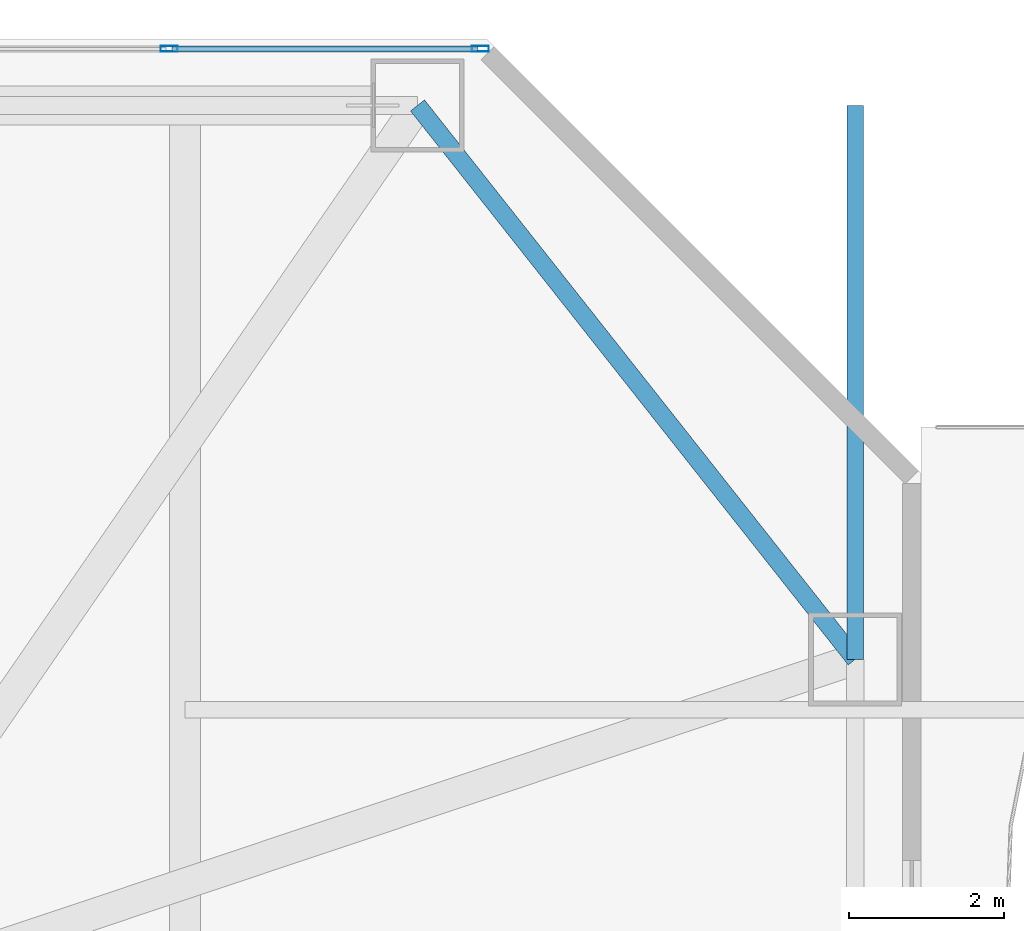
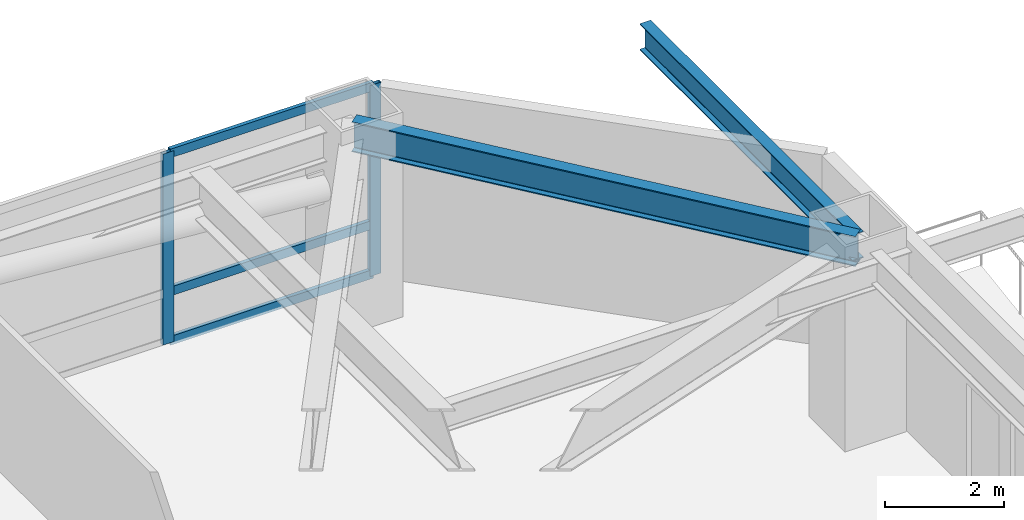
# One storey, part 8 of 25: 5 members, 2 beams, 1 element without a shape of its own.
"""IFC4 building model written with IfcOpenShell, lengths in metres."""

import ifcopenshell
import ifcopenshell.guid

model = None  # the IFC model being written
_history = None  # IfcOwnerHistory: only IFC2X3 demands one
_inside = {}  # id of a spatial element -> (the spatial element, [elements in it])
_under = {}  # id of a project, library or spatial element -> (it, [spatial elements below it])
_declared = {}  # id of a project -> (the project, [libraries it declares])
_typed = {}  # id of a type object -> (the type object, [elements of that type])
_made_of = {}  # id of a material, layer set ... -> (it, [elements and type objects made of it])


def new_model(schema):
    """Start an empty IFC model of exactly this schema.

    Asked for "IFC4X3", IfcOpenShell would pick the latest addendum, in which some entities
    have other attributes; the version numbers below select the first issue.
    IFC2X3 requires an IfcOwnerHistory on every rooted entity: one is made here for all.
    """
    global model, _history
    if schema == "IFC4X3":
        model = ifcopenshell.file(schema_version=(4, 3, 0, 0))
    else:
        model = ifcopenshell.file(schema=schema)
    _inside.clear()
    _under.clear()
    _declared.clear()
    _typed.clear()
    _made_of.clear()
    _history = None
    if model.schema == "IFC2X3":
        org = make("IfcOrganization", Name="unknown")
        user = make(
            "IfcPersonAndOrganization",
            ThePerson=make("IfcPerson", FamilyName="unknown"),
            TheOrganization=org,
        )
        app = make(
            "IfcApplication",
            ApplicationDeveloper=org,
            Version="unknown",
            ApplicationFullName="unknown",
            ApplicationIdentifier="unknown",
        )
        _history = make(
            "IfcOwnerHistory",
            OwningUser=user,
            OwningApplication=app,
            ChangeAction="ADDED",
            CreationDate=0,
        )
    return model


def make(cls, **values):
    """One entity of the class cls with the attributes given. An attribute that is None is left unset."""
    return model.create_entity(
        cls, **{name: value for name, value in values.items() if value is not None}
    )


def rooted(cls, **values):
    """An entity with a GlobalId (a new one), such as an element, a storey or a relation."""
    return make(cls, GlobalId=ifcopenshell.guid.new(), OwnerHistory=_history, **values)


def si_unit(unit_type, name, prefix=None):
    """IfcSIUnit, for example si_unit("LENGTHUNIT", "METRE", prefix="MILLI")."""
    return make("IfcSIUnit", UnitType=unit_type, Prefix=prefix, Name=name)


def assignment(units):
    """IfcUnitAssignment: the units of a project."""
    return None if units is None else make("IfcUnitAssignment", Units=units)


def point(xyz):
    """IfcCartesianPoint."""
    return None if xyz is None else make("IfcCartesianPoint", Coordinates=xyz)


def direction(xyz):
    """IfcDirection."""
    return None if xyz is None else make("IfcDirection", DirectionRatios=xyz)


def frame(location, z_axis=None, x_axis=None):
    """IfcAxis2Placement3D, a coordinate frame: its origin and axes. An axis left out is left unset."""
    return make(
        "IfcAxis2Placement3D",
        Location=point(location),
        Axis=direction(z_axis),
        RefDirection=direction(x_axis),
    )


def frame_2d(location, x_axis=None):
    """IfcAxis2Placement2D, a coordinate frame in the plane: its origin and x axis."""
    return make(
        "IfcAxis2Placement2D", Location=point(location), RefDirection=direction(x_axis)
    )


def origin():
    """The frame at (0, 0, 0) with its axes left unset."""
    return frame((0.0, 0.0, 0.0))


def origin_2d():
    """The frame at (0, 0) in the plane with its x axis left unset."""
    return frame_2d((0.0, 0.0))


def place(relative_to, where):
    """IfcLocalPlacement: puts the frame where relative to a parent placement (None: the world)."""
    return make(
        "IfcLocalPlacement", PlacementRelTo=relative_to, RelativePlacement=where
    )


def context(
    kind, dimensions, precision=None, world=None, true_north=None, identifier=None
):
    """IfcGeometricRepresentationContext, for example the 3D "Model" context."""
    return make(
        "IfcGeometricRepresentationContext",
        ContextIdentifier=identifier,
        ContextType=kind,
        CoordinateSpaceDimension=dimensions,
        Precision=precision,
        WorldCoordinateSystem=world,
        TrueNorth=true_north,
    )


def subcontext(parent, identifier, kind, view, scale=None):
    """IfcGeometricRepresentationSubContext, for example "Body" below "Model"."""
    return make(
        "IfcGeometricRepresentationSubContext",
        ContextIdentifier=identifier,
        ContextType=kind,
        ParentContext=parent,
        TargetScale=scale,
        TargetView=view,
    )


def project(units=None, contexts=None):
    """IfcProject with its units and contexts."""
    return rooted(
        "IfcProject",
        Name="project",
        RepresentationContexts=contexts,
        UnitsInContext=assignment(units),
    )


def spatial(cls, under=None, at=None, **own):
    """A site, building, storey or space (cls), placed at a placement, below another one or the project."""
    s = rooted(cls, ObjectPlacement=at, **own)
    if under is not None:
        _under.setdefault(under.id(), (under, []))[1].append(s)
    return s


def profile(cls, at=None, kind="AREA", **sizes):
    """A parametric profile (cls). Its sizes go by their IFC names, for example OverallWidth=200.0."""
    return make(cls, ProfileType=kind, Position=at, **sizes)


def hollow_rectangle(**sizes):
    """IfcRectangleHollowProfileDef."""
    return profile("IfcRectangleHollowProfileDef", **sizes)


def i_section(**sizes):
    """IfcIShapeProfileDef."""
    return profile("IfcIShapeProfileDef", **sizes)


def extrude(swept, where, along, depth):
    """IfcExtrudedAreaSolid: the profile swept, set in the frame where, extruded along a direction by depth."""
    return make(
        "IfcExtrudedAreaSolid",
        SweptArea=swept,
        Position=where,
        ExtrudedDirection=direction(along),
        Depth=depth,
    )


def shape(context_of_items, identifier, shape_type, items):
    """IfcShapeRepresentation: the items that make up one representation, for example the "Body"."""
    return make(
        "IfcShapeRepresentation",
        ContextOfItems=context_of_items,
        RepresentationIdentifier=identifier,
        RepresentationType=shape_type,
        Items=items,
    )


def material(Name=None, Category=None):
    """IfcMaterial."""
    return make("IfcMaterial", Name=Name, Category=Category)


def material_profile(
    of_material, cross_section, Name=None, Category=None, Priority=None
):
    """IfcMaterialProfile: a cross section and its material."""
    return make(
        "IfcMaterialProfile",
        Name=Name,
        Material=of_material,
        Profile=cross_section,
        Priority=Priority,
        Category=Category,
    )


def profile_set(profiles, Name=None, composite=None):
    """IfcMaterialProfileSet."""
    return make(
        "IfcMaterialProfileSet",
        Name=Name,
        MaterialProfiles=profiles,
        CompositeProfile=composite,
    )


def made_of(thing, what):
    """Note that an element or type object is made of a material, layer set ...; save() writes the relation."""
    if what is not None:
        _made_of.setdefault(what.id(), (what, []))[1].append(thing)
    return thing


def type_object(cls, material=None, **own):
    """A type object (cls), such as IfcWallType, which elements share."""
    return made_of(rooted(cls, **own), material)


def element(
    cls,
    number,
    at=None,
    inside=None,
    cuts=None,
    type_object=None,
    material=None,
    context=None,
    identifier="Body",
    shape_type=None,
    held_by="IfcProductDefinitionShape",
    body=None,
    shapes=None,
    **own,
):
    """One element of the class cls, such as IfcWall. Its Tag is "e" and its number.

    at: its placement. inside: the storey or other place that contains it. cuts: it is an
    opening in that element (IfcRelVoidsElement). A single representation is given by context,
    identifier, shape_type and body (its items); several are given by shapes. held_by: the class
    of the entity that holds the representations. save() writes the other relations.
    """
    e = rooted(cls, Tag="e%d" % number, ObjectPlacement=at, **own)
    if body is not None:
        shapes = [shape(context, identifier, shape_type, body)]
    if shapes is not None:
        e.Representation = make(held_by, Representations=shapes)
    if inside is not None:
        _inside.setdefault(inside.id(), (inside, []))[1].append(e)
    if cuts is not None:
        rooted(
            "IfcRelVoidsElement", RelatingBuildingElement=cuts, RelatedOpeningElement=e
        )
    if type_object is not None:
        _typed.setdefault(type_object.id(), (type_object, []))[1].append(e)
    return made_of(e, material)


def aggregate(whole, parts):
    """IfcRelAggregates: a whole, such as a stair, and the parts it consists of."""
    return rooted("IfcRelAggregates", RelatingObject=whole, RelatedObjects=parts)


def save(model, path):
    """Write the relations noted so far, then the file.

    IfcRelAggregates (storeys below a building ...), IfcRelContainedInSpatialStructure (elements
    in a storey), IfcRelDefinesByType, IfcRelAssociatesMaterial and IfcRelDeclares: one each for
    every whole, place, type object, material and project.
    """
    for whole, parts in _under.values():
        aggregate(whole, parts)
    for where, things in _inside.values():
        rooted(
            "IfcRelContainedInSpatialStructure",
            RelatedElements=things,
            RelatingStructure=where,
        )
    for kind, things in _typed.values():
        rooted("IfcRelDefinesByType", RelatedObjects=things, RelatingType=kind)
    for what, things in _made_of.values():
        rooted("IfcRelAssociatesMaterial", RelatedObjects=things, RelatingMaterial=what)
    for by, libraries in _declared.values():
        rooted("IfcRelDeclares", RelatingContext=by, RelatedDefinitions=libraries)
    model.write(path)


model = new_model("IFC4")

# Units and contexts
model_context = context("Model", 3, precision=1e-05, world=origin(), true_north=direction((0.0, 1.0)))
body_context = subcontext(model_context, "Body", "Model", "MODEL_VIEW")
ifc_project = project(units=[si_unit("LENGTHUNIT", "METRE"), si_unit("AREAUNIT", "SQUARE_METRE"), si_unit("VOLUMEUNIT", "CUBIC_METRE"), si_unit("PLANEANGLEUNIT", "RADIAN"), si_unit("MASSUNIT", "GRAM", prefix="KILO")], contexts=[model_context])

# Site, building, storey
site_placement = place(None, origin())
site = spatial("IfcSite", under=ifc_project, at=site_placement, CompositionType="ELEMENT")
building_placement = place(site_placement, origin())
building = spatial("IfcBuilding", under=site, at=building_placement, Name="Khamvora Tower", CompositionType="ELEMENT")
storey_placement = place(building_placement, frame((0.0, 0.0, 24.60009765625)))
storey = spatial("IfcBuildingStorey", under=building, at=storey_placement, Name="L05", CompositionType="ELEMENT", Elevation=24.60009765625)

# Beams
ifc_material_1 = material(Name="Steel S355", Category="steel")
ifc_material_profile_1 = material_profile(ifc_material_1, i_section(OverallWidth=0.2119140625, OverallDepth=0.5439453125, WebThickness=0.012939453125, FlangeThickness=0.02099609375, FilletRadius=0.013916015625, at=origin_2d()), Name="W530x123")
ifc_profile_set_1 = profile_set([ifc_material_profile_1], Name="Steel S355")
beam_type_1 = type_object("IfcBeamType", Name="BM-SP-W530x123", PredefinedType="SPANDREL", material=ifc_profile_set_1)
beam_1_placement = place(storey_placement, frame((55.14990234375, 48.0, 3.64794921875), z_axis=(0.0, 1.0, 0.0), x_axis=(-1.0, 0.0, 0.0)))
element("IfcBeam", 1, at=beam_1_placement, inside=storey, type_object=beam_type_1, Name="L05 E perimeter edge spandrel 5", PredefinedType="SPANDREL", context=body_context, shape_type="SweptSolid", body=[
    extrude(i_section(OverallWidth=0.2119140625, OverallDepth=0.5439453125, WebThickness=0.012939453125, FlangeThickness=0.02099609375, FilletRadius=0.013916015625, at=origin_2d()), origin(), (0.0, 0.0, 1.0), 7.14990234375),
])
ifc_material_profile_2 = material_profile(ifc_material_1, i_section(OverallWidth=0.22998046875, OverallDepth=0.616943359375, WebThickness=0.012939453125, FlangeThickness=0.02197265625, FilletRadius=0.013916015625, at=origin_2d()), Name="W610x140")
ifc_profile_set_2 = profile_set([ifc_material_profile_2], Name="Steel S355")
beam_type_2 = type_object("IfcBeamType", Name="BM-SP-W610x140", PredefinedType="SPANDREL", material=ifc_profile_set_2)
beam_2_placement = place(storey_placement, frame((55.14990234375, 48.0, 3.61181640625), z_axis=(-0.619998635429, 0.784602888133, 0.0), x_axis=(-0.784602888133, -0.619998635429, 0.0)))
element("IfcBeam", 2, at=beam_2_placement, inside=storey, type_object=beam_type_2, Name="L05 perimeter spandrel beam P16-P08", PredefinedType="SPANDREL", context=body_context, shape_type="SweptSolid", body=[
    extrude(i_section(OverallWidth=0.22998046875, OverallDepth=0.616943359375, WebThickness=0.012939453125, FlangeThickness=0.02197265625, FilletRadius=0.013916015625, at=origin_2d()), origin(), (0.0, 0.0, 1.0), 9.11279296875),
])

# Curtain wall, members
ifc_material_2 = material(Name="Anodised Aluminium 6063-T6", Category="aluminium")
curtain_wall_type = type_object("IfcCurtainWallType", Name="CW-SYS-01", PredefinedType="NOTDEFINED", material=ifc_material_2)
curtain_wall_placement = place(storey_placement, origin())
curtain_wall = element("IfcCurtainWall", 3, at=curtain_wall_placement, inside=storey, type_object=curtain_wall_type, Name="L05 stick curtain wall 07.1", PredefinedType="NOTDEFINED")
ifc_material_profile_3 = material_profile(ifc_material_2, hollow_rectangle(XDim=0.074951171875, YDim=0.219970703125, WallThickness=0.0048828125, at=origin_2d()), Name="MUL75x220x5")
ifc_profile_set_3 = profile_set([ifc_material_profile_3], Name="Anodised Aluminium 6063-T6")
member_type_1 = type_object("IfcMemberType", Name="CW-SYS-01-MUL", PredefinedType="MULLION", material=ifc_profile_set_3)
member_1_placement = place(storey_placement, frame((46.29345703125, 55.8798828125, 0.0), z_axis=(0.0, 0.0, 1.0), x_axis=(0.0, 1.0, 0.0)))
member_1 = element("IfcMember", 4, at=member_1_placement, type_object=member_type_1, Name="CW-01 mullion 11", PredefinedType="MULLION", context=body_context, shape_type="SweptSolid", body=[
    extrude(hollow_rectangle(XDim=0.074951171875, YDim=0.219970703125, WallThickness=0.0048828125, at=origin_2d()), origin(), (0.0, 0.0, 1.0), 3.919921875),
])
member_2_placement = place(storey_placement, frame((50.3125, 55.8798828125, 0.0), z_axis=(0.0, 0.0, 1.0), x_axis=(0.0, 1.0, 0.0)))
member_2 = element("IfcMember", 5, at=member_2_placement, type_object=member_type_1, Name="CW-01 mullion 12", PredefinedType="MULLION", context=body_context, shape_type="SweptSolid", body=[
    extrude(hollow_rectangle(XDim=0.074951171875, YDim=0.219970703125, WallThickness=0.0048828125, at=origin_2d()), origin(), (0.0, 0.0, 1.0), 3.919921875),
])
ifc_material_profile_4 = material_profile(ifc_material_2, hollow_rectangle(XDim=0.074951171875, YDim=0.179931640625, WallThickness=0.0048828125, at=origin_2d()), Name="TRN75x180x5")
ifc_profile_set_4 = profile_set([ifc_material_profile_4], Name="Anodised Aluminium 6063-T6")
member_type_2 = type_object("IfcMemberType", Name="CW-SYS-01-TRN", PredefinedType="USERDEFINED", material=ifc_profile_set_4)
member_3_placement = place(storey_placement, frame((46.330810546875, 55.8798828125, 0.037353515625), z_axis=(1.0, 0.0, 0.0), x_axis=(0.0, 1.0, 0.0)))
member_3 = element("IfcMember", 6, at=member_3_placement, type_object=member_type_2, Name="CW-01 transom 11.1", ObjectType="TRANSOM", PredefinedType="USERDEFINED", context=body_context, shape_type="SweptSolid", body=[
    extrude(hollow_rectangle(XDim=0.074951171875, YDim=0.179931640625, WallThickness=0.0048828125, at=origin_2d()), origin(), (0.0, 0.0, 1.0), 3.944091796875),
])
member_4_placement = place(storey_placement, frame((46.330810546875, 55.8798828125, 1.0498046875), z_axis=(1.0, 0.0, 0.0), x_axis=(0.0, 1.0, 0.0)))
member_4 = element("IfcMember", 7, at=member_4_placement, type_object=member_type_2, Name="CW-01 transom 11.2", ObjectType="TRANSOM", PredefinedType="USERDEFINED", context=body_context, shape_type="SweptSolid", body=[
    extrude(hollow_rectangle(XDim=0.074951171875, YDim=0.179931640625, WallThickness=0.0048828125, at=origin_2d()), origin(), (0.0, 0.0, 1.0), 3.944091796875),
])
member_5_placement = place(storey_placement, frame((46.330810546875, 55.8798828125, 3.88232421875), z_axis=(1.0, 0.0, 0.0), x_axis=(0.0, 1.0, 0.0)))
member_5 = element("IfcMember", 8, at=member_5_placement, type_object=member_type_2, Name="CW-01 transom 11.3", ObjectType="TRANSOM", PredefinedType="USERDEFINED", context=body_context, shape_type="SweptSolid", body=[
    extrude(hollow_rectangle(XDim=0.074951171875, YDim=0.179931640625, WallThickness=0.0048828125, at=origin_2d()), origin(), (0.0, 0.0, 1.0), 3.944091796875),
])
aggregate(curtain_wall, [member_1, member_2, member_3, member_4, member_5])

save(model, "model.ifc")
